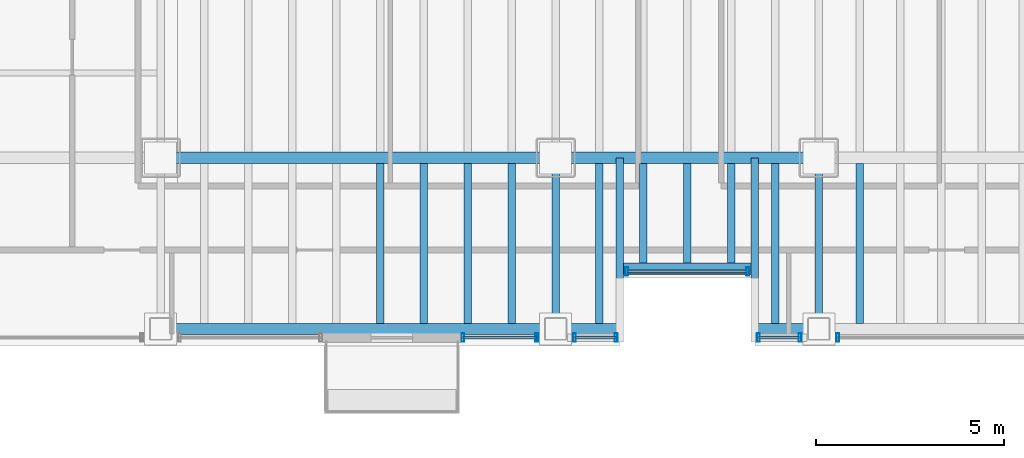
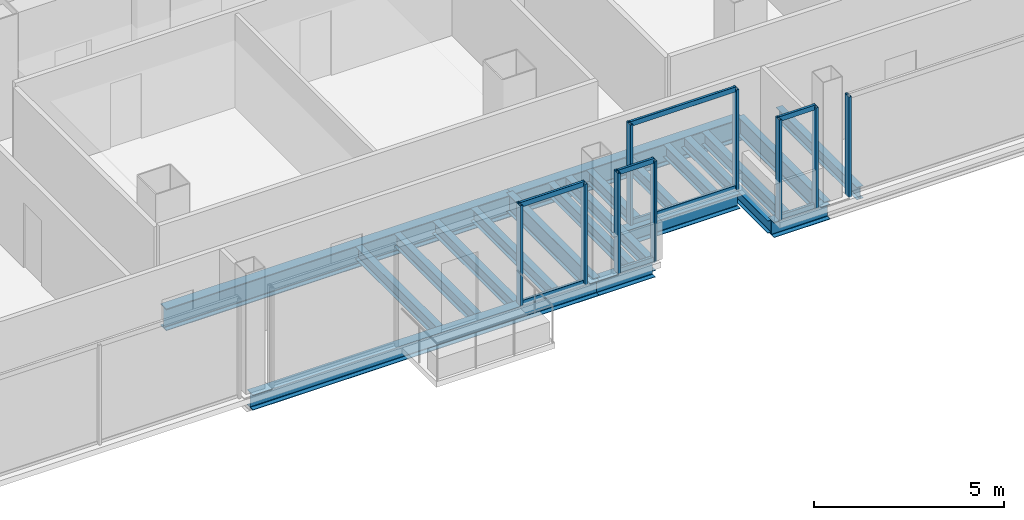
# One storey, part 4 of 21: 20 beams, 17 members, 5 elements without a shape of their own.
"""IFC4 building model written with IfcOpenShell, lengths in metres."""

import ifcopenshell
import ifcopenshell.guid

model = None  # the IFC model being written
_history = None  # IfcOwnerHistory: only IFC2X3 demands one
_inside = {}  # id of a spatial element -> (the spatial element, [elements in it])
_under = {}  # id of a project, library or spatial element -> (it, [spatial elements below it])
_declared = {}  # id of a project -> (the project, [libraries it declares])
_typed = {}  # id of a type object -> (the type object, [elements of that type])
_made_of = {}  # id of a material, layer set ... -> (it, [elements and type objects made of it])


def new_model(schema):
    """Start an empty IFC model of exactly this schema.

    Asked for "IFC4X3", IfcOpenShell would pick the latest addendum, in which some entities
    have other attributes; the version numbers below select the first issue.
    IFC2X3 requires an IfcOwnerHistory on every rooted entity: one is made here for all.
    """
    global model, _history
    if schema == "IFC4X3":
        model = ifcopenshell.file(schema_version=(4, 3, 0, 0))
    else:
        model = ifcopenshell.file(schema=schema)
    _inside.clear()
    _under.clear()
    _declared.clear()
    _typed.clear()
    _made_of.clear()
    _history = None
    if model.schema == "IFC2X3":
        org = make("IfcOrganization", Name="unknown")
        user = make(
            "IfcPersonAndOrganization",
            ThePerson=make("IfcPerson", FamilyName="unknown"),
            TheOrganization=org,
        )
        app = make(
            "IfcApplication",
            ApplicationDeveloper=org,
            Version="unknown",
            ApplicationFullName="unknown",
            ApplicationIdentifier="unknown",
        )
        _history = make(
            "IfcOwnerHistory",
            OwningUser=user,
            OwningApplication=app,
            ChangeAction="ADDED",
            CreationDate=0,
        )
    return model


def make(cls, **values):
    """One entity of the class cls with the attributes given. An attribute that is None is left unset."""
    return model.create_entity(
        cls, **{name: value for name, value in values.items() if value is not None}
    )


def rooted(cls, **values):
    """An entity with a GlobalId (a new one), such as an element, a storey or a relation."""
    return make(cls, GlobalId=ifcopenshell.guid.new(), OwnerHistory=_history, **values)


def si_unit(unit_type, name, prefix=None):
    """IfcSIUnit, for example si_unit("LENGTHUNIT", "METRE", prefix="MILLI")."""
    return make("IfcSIUnit", UnitType=unit_type, Prefix=prefix, Name=name)


def assignment(units):
    """IfcUnitAssignment: the units of a project."""
    return None if units is None else make("IfcUnitAssignment", Units=units)


def point(xyz):
    """IfcCartesianPoint."""
    return None if xyz is None else make("IfcCartesianPoint", Coordinates=xyz)


def direction(xyz):
    """IfcDirection."""
    return None if xyz is None else make("IfcDirection", DirectionRatios=xyz)


def frame(location, z_axis=None, x_axis=None):
    """IfcAxis2Placement3D, a coordinate frame: its origin and axes. An axis left out is left unset."""
    return make(
        "IfcAxis2Placement3D",
        Location=point(location),
        Axis=direction(z_axis),
        RefDirection=direction(x_axis),
    )


def frame_2d(location, x_axis=None):
    """IfcAxis2Placement2D, a coordinate frame in the plane: its origin and x axis."""
    return make(
        "IfcAxis2Placement2D", Location=point(location), RefDirection=direction(x_axis)
    )


def origin():
    """The frame at (0, 0, 0) with its axes left unset."""
    return frame((0.0, 0.0, 0.0))


def origin_2d():
    """The frame at (0, 0) in the plane with its x axis left unset."""
    return frame_2d((0.0, 0.0))


def place(relative_to, where):
    """IfcLocalPlacement: puts the frame where relative to a parent placement (None: the world)."""
    return make(
        "IfcLocalPlacement", PlacementRelTo=relative_to, RelativePlacement=where
    )


def context(
    kind, dimensions, precision=None, world=None, true_north=None, identifier=None
):
    """IfcGeometricRepresentationContext, for example the 3D "Model" context."""
    return make(
        "IfcGeometricRepresentationContext",
        ContextIdentifier=identifier,
        ContextType=kind,
        CoordinateSpaceDimension=dimensions,
        Precision=precision,
        WorldCoordinateSystem=world,
        TrueNorth=true_north,
    )


def subcontext(parent, identifier, kind, view, scale=None):
    """IfcGeometricRepresentationSubContext, for example "Body" below "Model"."""
    return make(
        "IfcGeometricRepresentationSubContext",
        ContextIdentifier=identifier,
        ContextType=kind,
        ParentContext=parent,
        TargetScale=scale,
        TargetView=view,
    )


def project(units=None, contexts=None):
    """IfcProject with its units and contexts."""
    return rooted(
        "IfcProject",
        Name="project",
        RepresentationContexts=contexts,
        UnitsInContext=assignment(units),
    )


def spatial(cls, under=None, at=None, **own):
    """A site, building, storey or space (cls), placed at a placement, below another one or the project."""
    s = rooted(cls, ObjectPlacement=at, **own)
    if under is not None:
        _under.setdefault(under.id(), (under, []))[1].append(s)
    return s


def profile(cls, at=None, kind="AREA", **sizes):
    """A parametric profile (cls). Its sizes go by their IFC names, for example OverallWidth=200.0."""
    return make(cls, ProfileType=kind, Position=at, **sizes)


def hollow_rectangle(**sizes):
    """IfcRectangleHollowProfileDef."""
    return profile("IfcRectangleHollowProfileDef", **sizes)


def i_section(**sizes):
    """IfcIShapeProfileDef."""
    return profile("IfcIShapeProfileDef", **sizes)


def extrude(swept, where, along, depth):
    """IfcExtrudedAreaSolid: the profile swept, set in the frame where, extruded along a direction by depth."""
    return make(
        "IfcExtrudedAreaSolid",
        SweptArea=swept,
        Position=where,
        ExtrudedDirection=direction(along),
        Depth=depth,
    )


def shape(context_of_items, identifier, shape_type, items):
    """IfcShapeRepresentation: the items that make up one representation, for example the "Body"."""
    return make(
        "IfcShapeRepresentation",
        ContextOfItems=context_of_items,
        RepresentationIdentifier=identifier,
        RepresentationType=shape_type,
        Items=items,
    )


def material(Name=None, Category=None):
    """IfcMaterial."""
    return make("IfcMaterial", Name=Name, Category=Category)


def material_profile(
    of_material, cross_section, Name=None, Category=None, Priority=None
):
    """IfcMaterialProfile: a cross section and its material."""
    return make(
        "IfcMaterialProfile",
        Name=Name,
        Material=of_material,
        Profile=cross_section,
        Priority=Priority,
        Category=Category,
    )


def profile_set(profiles, Name=None, composite=None):
    """IfcMaterialProfileSet."""
    return make(
        "IfcMaterialProfileSet",
        Name=Name,
        MaterialProfiles=profiles,
        CompositeProfile=composite,
    )


def made_of(thing, what):
    """Note that an element or type object is made of a material, layer set ...; save() writes the relation."""
    if what is not None:
        _made_of.setdefault(what.id(), (what, []))[1].append(thing)
    return thing


def type_object(cls, material=None, **own):
    """A type object (cls), such as IfcWallType, which elements share."""
    return made_of(rooted(cls, **own), material)


def element(
    cls,
    number,
    at=None,
    inside=None,
    cuts=None,
    type_object=None,
    material=None,
    context=None,
    identifier="Body",
    shape_type=None,
    held_by="IfcProductDefinitionShape",
    body=None,
    shapes=None,
    **own,
):
    """One element of the class cls, such as IfcWall. Its Tag is "e" and its number.

    at: its placement. inside: the storey or other place that contains it. cuts: it is an
    opening in that element (IfcRelVoidsElement). A single representation is given by context,
    identifier, shape_type and body (its items); several are given by shapes. held_by: the class
    of the entity that holds the representations. save() writes the other relations.
    """
    e = rooted(cls, Tag="e%d" % number, ObjectPlacement=at, **own)
    if body is not None:
        shapes = [shape(context, identifier, shape_type, body)]
    if shapes is not None:
        e.Representation = make(held_by, Representations=shapes)
    if inside is not None:
        _inside.setdefault(inside.id(), (inside, []))[1].append(e)
    if cuts is not None:
        rooted(
            "IfcRelVoidsElement", RelatingBuildingElement=cuts, RelatedOpeningElement=e
        )
    if type_object is not None:
        _typed.setdefault(type_object.id(), (type_object, []))[1].append(e)
    return made_of(e, material)


def aggregate(whole, parts):
    """IfcRelAggregates: a whole, such as a stair, and the parts it consists of."""
    return rooted("IfcRelAggregates", RelatingObject=whole, RelatedObjects=parts)


def save(model, path):
    """Write the relations noted so far, then the file.

    IfcRelAggregates (storeys below a building ...), IfcRelContainedInSpatialStructure (elements
    in a storey), IfcRelDefinesByType, IfcRelAssociatesMaterial and IfcRelDeclares: one each for
    every whole, place, type object, material and project.
    """
    for whole, parts in _under.values():
        aggregate(whole, parts)
    for where, things in _inside.values():
        rooted(
            "IfcRelContainedInSpatialStructure",
            RelatedElements=things,
            RelatingStructure=where,
        )
    for kind, things in _typed.values():
        rooted("IfcRelDefinesByType", RelatedObjects=things, RelatingType=kind)
    for what, things in _made_of.values():
        rooted("IfcRelAssociatesMaterial", RelatedObjects=things, RelatingMaterial=what)
    for by, libraries in _declared.values():
        rooted("IfcRelDeclares", RelatingContext=by, RelatedDefinitions=libraries)
    model.write(path)


model = new_model("IFC4")

# Units and contexts
model_context = context("Model", 3, precision=1e-05, world=origin(), true_north=direction((0.0, 1.0)))
body_context = subcontext(model_context, "Body", "Model", "MODEL_VIEW")
ifc_project = project(units=[si_unit("LENGTHUNIT", "METRE"), si_unit("AREAUNIT", "SQUARE_METRE"), si_unit("VOLUMEUNIT", "CUBIC_METRE"), si_unit("PLANEANGLEUNIT", "RADIAN"), si_unit("MASSUNIT", "GRAM", prefix="KILO")], contexts=[model_context])

# Site, building, storey
site_placement = place(None, origin())
site = spatial("IfcSite", under=ifc_project, at=site_placement, CompositionType="ELEMENT")
building_placement = place(site_placement, origin())
building = spatial("IfcBuilding", under=site, at=building_placement, Name="Noeulbin Bourse Tower", CompositionType="ELEMENT")
storey_placement = place(building_placement, frame((0.0, 0.0, 42.10009765625)))
storey = spatial("IfcBuildingStorey", under=building, at=storey_placement, Name="L10", CompositionType="ELEMENT", Elevation=42.10009765625)

# Beams
ifc_material_1 = material(Name="Steel S355", Category="steel")
ifc_material_profile_1 = material_profile(ifc_material_1, i_section(OverallWidth=0.199951171875, OverallDepth=0.60009765625, WebThickness=0.010986328125, FlangeThickness=0.01708984375, FilletRadius=0.02197265625, at=origin_2d()), Name="H-600x200x11x17", Category="LoadBearing")
ifc_profile_set_1 = profile_set([ifc_material_profile_1], Name="Steel S355")
beam_type_1 = type_object("IfcBeamType", Name="BM-GRD-600", PredefinedType="USERDEFINED", material=ifc_profile_set_1)
for number, where, z_axis, x_axis, name in (
    (1, (24.0, 15.449951171875, -0.47998046875), (0.0, 1.0, 0.0), (-1.0, 0.0, 0.0), "Tower Primary Girder NS L10-2.1"),
    (2, (31.0, 15.449951171875, -0.47998046875), (0.0, 1.0, 0.0), (-1.0, 0.0, 0.0), "Tower Primary Girder NS L10-3.1"),
):
    element("IfcBeam", number, at=place(storey_placement, frame(where, z_axis=z_axis, x_axis=x_axis)), inside=storey, type_object=beam_type_1, Name=name, ObjectType="GIRDER", PredefinedType="USERDEFINED", context=body_context, shape_type="SweptSolid", body=[
        extrude(i_section(OverallWidth=0.199951171875, OverallDepth=0.60009765625, WebThickness=0.010986328125, FlangeThickness=0.01708984375, FilletRadius=0.02197265625, at=origin_2d()), origin(), (0.0, 0.0, 1.0), 4.550048828125),
    ])
ifc_material_profile_2 = material_profile(ifc_material_1, i_section(OverallWidth=0.300048828125, OverallDepth=0.699951171875, WebThickness=0.012939453125, FlangeThickness=0.02392578125, FilletRadius=0.02392578125, at=origin_2d()), Name="H-700x300x13x24", Category="LoadBearing")
ifc_profile_set_2 = profile_set([ifc_material_profile_2], Name="Steel S355")
beam_type_2 = type_object("IfcBeamType", Name="BM-GRD-700", PredefinedType="USERDEFINED", material=ifc_profile_set_2)
beam_1_placement = place(storey_placement, frame((13.5, 20.0, -0.530029296875), z_axis=(1.0, 0.0, 0.0), x_axis=(0.0, 1.0, 0.0)))
element("IfcBeam", 3, at=beam_1_placement, inside=storey, type_object=beam_type_2, Name="Tower Primary Girder EW L10-1.2", ObjectType="GIRDER", PredefinedType="USERDEFINED", context=body_context, shape_type="SweptSolid", body=[
    extrude(i_section(OverallWidth=0.300048828125, OverallDepth=0.699951171875, WebThickness=0.012939453125, FlangeThickness=0.02392578125, FilletRadius=0.02392578125, at=origin_2d()), origin(), (0.0, 0.0, 1.0), 10.5),
])
beam_2_placement = place(storey_placement, frame((24.0, 20.0, -0.530029296875), z_axis=(1.0, 0.0, 0.0), x_axis=(0.0, 1.0, 0.0)))
element("IfcBeam", 4, at=beam_2_placement, inside=storey, type_object=beam_type_2, Name="Tower Primary Girder EW L10-1.3", ObjectType="GIRDER", PredefinedType="USERDEFINED", context=body_context, shape_type="SweptSolid", body=[
    extrude(i_section(OverallWidth=0.300048828125, OverallDepth=0.699951171875, WebThickness=0.012939453125, FlangeThickness=0.02392578125, FilletRadius=0.02392578125, at=origin_2d()), origin(), (0.0, 0.0, 1.0), 7.0),
])
ifc_material_profile_3 = material_profile(ifc_material_1, i_section(OverallWidth=0.199951171875, OverallDepth=0.39990234375, WebThickness=0.008056640625, FlangeThickness=0.012939453125, FilletRadius=0.01611328125, at=origin_2d()), Name="H-400x200x8x13", Category="LoadBearing")
ifc_profile_set_3 = profile_set([ifc_material_profile_3], Name="Steel S355")
beam_type_3 = type_object("IfcBeamType", Name="BM-SEC-400", PredefinedType="BEAM", material=ifc_profile_set_3)
for number, where, z_axis, x_axis, name in (
    (5, (25.699951171875, 15.449951171875, -0.380126953125), (0.0, 1.0, 0.0), (-1.0, 0.0, 0.0), "BM-L10-SRT-W"),
    (6, (29.300048828125, 15.449951171875, -0.380126953125), (0.0, 1.0, 0.0), (-1.0, 0.0, 0.0), "BM-L10-SRT-E"),
):
    element("IfcBeam", number, at=place(storey_placement, frame(where, z_axis=z_axis, x_axis=x_axis)), inside=storey, type_object=beam_type_3, Name=name, PredefinedType="BEAM", context=body_context, shape_type="SweptSolid", body=[
        extrude(i_section(OverallWidth=0.199951171875, OverallDepth=0.39990234375, WebThickness=0.008056640625, FlangeThickness=0.012939453125, FilletRadius=0.01611328125, at=origin_2d()), origin(), (0.0, 0.0, 1.0), 4.550048828125),
    ])
for number, where, z_axis, x_axis, name in (
    (7, (19.333251953125, 15.60009765625, -0.380126953125), (0.0, 1.0, 0.0), (-1.0, 0.0, 0.0), "Tower Composite Joist L10-13"),
    (8, (20.5, 15.60009765625, -0.380126953125), (0.0, 1.0, 0.0), (-1.0, 0.0, 0.0), "Tower Composite Joist L10-16"),
    (9, (21.666748046875, 15.60009765625, -0.380126953125), (0.0, 1.0, 0.0), (-1.0, 0.0, 0.0), "Tower Composite Joist L10-19"),
    (10, (22.833251953125, 15.60009765625, -0.380126953125), (0.0, 1.0, 0.0), (-1.0, 0.0, 0.0), "Tower Composite Joist L10-22"),
    (11, (25.166748046875, 15.60009765625, -0.380126953125), (0.0, 1.0, 0.0), (-1.0, 0.0, 0.0), "Tower Composite Joist L10-25"),
):
    element("IfcBeam", number, at=place(storey_placement, frame(where, z_axis=z_axis, x_axis=x_axis)), inside=storey, type_object=beam_type_3, Name=name, PredefinedType="BEAM", context=body_context, shape_type="SweptSolid", body=[
        extrude(i_section(OverallWidth=0.199951171875, OverallDepth=0.39990234375, WebThickness=0.008056640625, FlangeThickness=0.012939453125, FilletRadius=0.01611328125, at=origin_2d()), origin(), (0.0, 0.0, 1.0), 4.25),
    ])
for number, where, z_axis, x_axis, name in (
    (12, (26.333251953125, 17.199951171875, -0.380126953125), (0.0, 1.0, 0.0), (-1.0, 0.0, 0.0), "Tower Composite Joist L10-28"),
    (13, (27.5, 17.199951171875, -0.380126953125), (0.0, 1.0, 0.0), (-1.0, 0.0, 0.0), "Tower Composite Joist L10-31"),
    (14, (28.666748046875, 17.199951171875, -0.380126953125), (0.0, 1.0, 0.0), (-1.0, 0.0, 0.0), "Tower Composite Joist L10-34"),
):
    element("IfcBeam", number, at=place(storey_placement, frame(where, z_axis=z_axis, x_axis=x_axis)), inside=storey, type_object=beam_type_3, Name=name, PredefinedType="BEAM", context=body_context, shape_type="SweptSolid", body=[
        extrude(i_section(OverallWidth=0.199951171875, OverallDepth=0.39990234375, WebThickness=0.008056640625, FlangeThickness=0.012939453125, FilletRadius=0.01611328125, at=origin_2d()), origin(), (0.0, 0.0, 1.0), 2.650146484375),
    ])
for number, where, z_axis, x_axis, name in (
    (15, (29.833251953125, 15.60009765625, -0.380126953125), (0.0, 1.0, 0.0), (-1.0, 0.0, 0.0), "Tower Composite Joist L10-37"),
    (16, (32.083251953125, 15.60009765625, -0.380126953125), (0.0, 1.0, 0.0), (-1.0, 0.0, 0.0), "Tower Composite Joist L10-40"),
):
    element("IfcBeam", number, at=place(storey_placement, frame(where, z_axis=z_axis, x_axis=x_axis)), inside=storey, type_object=beam_type_3, Name=name, PredefinedType="BEAM", context=body_context, shape_type="SweptSolid", body=[
        extrude(i_section(OverallWidth=0.199951171875, OverallDepth=0.39990234375, WebThickness=0.008056640625, FlangeThickness=0.012939453125, FilletRadius=0.01611328125, at=origin_2d()), origin(), (0.0, 0.0, 1.0), 4.25),
    ])
ifc_material_profile_4 = material_profile(ifc_material_1, i_section(OverallWidth=0.300048828125, OverallDepth=0.488037109375, WebThickness=0.010986328125, FlangeThickness=0.01806640625, FilletRadius=0.02197265625, at=origin_2d()), Name="H-488x300x11x18", Category="LoadBearing")
ifc_profile_set_4 = profile_set([ifc_material_profile_4], Name="Steel S355")
beam_type_4 = type_object("IfcBeamType", Name="BM-SPN-488", PredefinedType="SPANDREL", material=ifc_profile_set_4)
beam_3_placement = place(storey_placement, frame((13.5, 15.449951171875, -0.424072265625), z_axis=(1.0, 0.0, 0.0), x_axis=(0.0, 1.0, 0.0)))
element("IfcBeam", 17, at=beam_3_placement, inside=storey, type_object=beam_type_4, Name="South Spandrel L10-1", PredefinedType="SPANDREL", context=body_context, shape_type="SweptSolid", body=[
    extrude(i_section(OverallWidth=0.300048828125, OverallDepth=0.488037109375, WebThickness=0.010986328125, FlangeThickness=0.01806640625, FilletRadius=0.02197265625, at=origin_2d()), origin(), (0.0, 0.0, 1.0), 10.5),
])
beam_4_placement = place(storey_placement, frame((25.800048828125, 17.050048828125, -0.424072265625), z_axis=(1.0, 0.0, 0.0), x_axis=(0.0, 1.0, 0.0)))
element("IfcBeam", 18, at=beam_4_placement, inside=storey, type_object=beam_type_4, Name="South Recess Spandrel L10-2B", PredefinedType="SPANDREL", context=body_context, shape_type="SweptSolid", body=[
    extrude(i_section(OverallWidth=0.300048828125, OverallDepth=0.488037109375, WebThickness=0.010986328125, FlangeThickness=0.01806640625, FilletRadius=0.02197265625, at=origin_2d()), origin(), (0.0, 0.0, 1.0), 3.39990234375),
])
for number, where, z_axis, x_axis, name in (
    (19, (24.0, 15.449951171875, -0.424072265625), (1.0, 0.0, 0.0), (0.0, 1.0, 0.0), "South Spandrel L10-2A"),
    (20, (29.300048828125, 15.449951171875, -0.424072265625), (1.0, 0.0, 0.0), (0.0, 1.0, 0.0), "South Spandrel L10-2C"),
):
    element("IfcBeam", number, at=place(storey_placement, frame(where, z_axis=z_axis, x_axis=x_axis)), inside=storey, type_object=beam_type_4, Name=name, PredefinedType="SPANDREL", context=body_context, shape_type="SweptSolid", body=[
        extrude(i_section(OverallWidth=0.300048828125, OverallDepth=0.488037109375, WebThickness=0.010986328125, FlangeThickness=0.01806640625, FilletRadius=0.02197265625, at=origin_2d()), origin(), (0.0, 0.0, 1.0), 1.699951171875),
    ])

# Curtain wall, members
ifc_material_2 = material(Name="Dark Solar-Control Double Glazing", Category="glass")
curtain_wall_type = type_object("IfcCurtainWallType", Name="CW-SYS-2", PredefinedType="NOTDEFINED", material=ifc_material_2)
curtain_wall_1_placement = place(storey_placement, origin())
curtain_wall_1 = element("IfcCurtainWall", 21, at=curtain_wall_1_placement, inside=storey, type_object=curtain_wall_type, Name="Unitised Curtain Wall CW-L10-SREC", PredefinedType="NOTDEFINED")
ifc_material_3 = material(Name="Anodised Aluminium 6063-T6", Category="aluminium")
ifc_material_profile_5 = material_profile(ifc_material_3, hollow_rectangle(XDim=0.074951171875, YDim=0.219970703125, WallThickness=0.0048828125, InnerFilletRadius=0.00244140625, OuterFilletRadius=0.0048828125, at=origin_2d()), Name="ALU-MULL-75x220x5", Category="LoadBearing")
ifc_profile_set_5 = profile_set([ifc_material_profile_5], Name="Anodised Aluminium 6063-T6")
member_type_1 = type_object("IfcMemberType", Name="CW-SYS-2-MUL", PredefinedType="MULLION", material=ifc_profile_set_5)
member_1_placement = place(storey_placement, frame((25.889892578125, 16.97998046875, -0.02001953125), z_axis=(0.0, 0.0, 1.0), x_axis=(1.0, 0.0, 0.0)))
member_1 = element("IfcMember", 22, at=member_1_placement, type_object=member_type_1, Name="Curtain Wall Mullion CW-L10-SREC-M00", PredefinedType="MULLION", context=body_context, shape_type="SweptSolid", body=[
    extrude(hollow_rectangle(XDim=0.074951171875, YDim=0.219970703125, WallThickness=0.0048828125, InnerFilletRadius=0.00244140625, OuterFilletRadius=0.0048828125, at=origin_2d()), origin(), (0.0, 0.0, 1.0), 3.219970703125),
])
member_2_placement = place(storey_placement, frame((29.110107421875, 16.97998046875, -0.02001953125), z_axis=(0.0, 0.0, 1.0), x_axis=(1.0, 0.0, 0.0)))
member_2 = element("IfcMember", 23, at=member_2_placement, type_object=member_type_1, Name="Curtain Wall Mullion CW-L10-SREC-M01", PredefinedType="MULLION", context=body_context, shape_type="SweptSolid", body=[
    extrude(hollow_rectangle(XDim=0.074951171875, YDim=0.219970703125, WallThickness=0.0048828125, InnerFilletRadius=0.00244140625, OuterFilletRadius=0.0048828125, at=origin_2d()), origin(), (0.0, 0.0, 1.0), 3.219970703125),
])

curtain_wall_2_placement = place(storey_placement, origin())
curtain_wall_2 = element("IfcCurtainWall", 24, at=curtain_wall_2_placement, inside=storey, type_object=curtain_wall_type, Name="Unitised Curtain Wall CW-L10-S2-S1", PredefinedType="NOTDEFINED")
member_3_placement = place(storey_placement, frame((21.5400390625, 15.219970703125, -0.02001953125), z_axis=(0.0, 0.0, 1.0), x_axis=(1.0, 0.0, 0.0)))
member_3 = element("IfcMember", 25, at=member_3_placement, type_object=member_type_1, Name="Curtain Wall Mullion CW-L10-S2-S1-M00", PredefinedType="MULLION", context=body_context, shape_type="SweptSolid", body=[
    extrude(hollow_rectangle(XDim=0.074951171875, YDim=0.219970703125, WallThickness=0.0048828125, InnerFilletRadius=0.00244140625, OuterFilletRadius=0.0048828125, at=origin_2d()), origin(), (0.0, 0.0, 1.0), 3.219970703125),
])
member_4_placement = place(storey_placement, frame((23.5, 15.219970703125, -0.02001953125), z_axis=(0.0, 0.0, 1.0), x_axis=(1.0, 0.0, 0.0)))
member_4 = element("IfcMember", 26, at=member_4_placement, type_object=member_type_1, Name="Curtain Wall Mullion CW-L10-S2-S1-M01", PredefinedType="MULLION", context=body_context, shape_type="SweptSolid", body=[
    extrude(hollow_rectangle(XDim=0.074951171875, YDim=0.219970703125, WallThickness=0.0048828125, InnerFilletRadius=0.00244140625, OuterFilletRadius=0.0048828125, at=origin_2d()), origin(), (0.0, 0.0, 1.0), 3.219970703125),
])

curtain_wall_3_placement = place(storey_placement, origin())
curtain_wall_3 = element("IfcCurtainWall", 27, at=curtain_wall_3_placement, inside=storey, type_object=curtain_wall_type, Name="Unitised Curtain Wall CW-L10-S2-S2", PredefinedType="NOTDEFINED")
member_5_placement = place(storey_placement, frame((24.5, 15.219970703125, -0.02001953125), z_axis=(0.0, 0.0, 1.0), x_axis=(1.0, 0.0, 0.0)))
member_5 = element("IfcMember", 28, at=member_5_placement, type_object=member_type_1, Name="Curtain Wall Mullion CW-L10-S2-S2-M00", PredefinedType="MULLION", context=body_context, shape_type="SweptSolid", body=[
    extrude(hollow_rectangle(XDim=0.074951171875, YDim=0.219970703125, WallThickness=0.0048828125, InnerFilletRadius=0.00244140625, OuterFilletRadius=0.0048828125, at=origin_2d()), origin(), (0.0, 0.0, 1.0), 3.219970703125),
])
member_6_placement = place(storey_placement, frame((25.610107421875, 15.219970703125, -0.02001953125), z_axis=(0.0, 0.0, 1.0), x_axis=(1.0, 0.0, 0.0)))
member_6 = element("IfcMember", 29, at=member_6_placement, type_object=member_type_1, Name="Curtain Wall Mullion CW-L10-S2-S2-M01", PredefinedType="MULLION", context=body_context, shape_type="SweptSolid", body=[
    extrude(hollow_rectangle(XDim=0.074951171875, YDim=0.219970703125, WallThickness=0.0048828125, InnerFilletRadius=0.00244140625, OuterFilletRadius=0.0048828125, at=origin_2d()), origin(), (0.0, 0.0, 1.0), 3.219970703125),
])

curtain_wall_4_placement = place(storey_placement, origin())
curtain_wall_4 = element("IfcCurtainWall", 30, at=curtain_wall_4_placement, inside=storey, type_object=curtain_wall_type, Name="Unitised Curtain Wall CW-L10-S3-S1", PredefinedType="NOTDEFINED")
member_7_placement = place(storey_placement, frame((29.389892578125, 15.219970703125, -0.02001953125), z_axis=(0.0, 0.0, 1.0), x_axis=(1.0, 0.0, 0.0)))
member_7 = element("IfcMember", 31, at=member_7_placement, type_object=member_type_1, Name="Curtain Wall Mullion CW-L10-S3-S1-M00", PredefinedType="MULLION", context=body_context, shape_type="SweptSolid", body=[
    extrude(hollow_rectangle(XDim=0.074951171875, YDim=0.219970703125, WallThickness=0.0048828125, InnerFilletRadius=0.00244140625, OuterFilletRadius=0.0048828125, at=origin_2d()), origin(), (0.0, 0.0, 1.0), 3.219970703125),
])
member_8_placement = place(storey_placement, frame((30.5, 15.219970703125, -0.02001953125), z_axis=(0.0, 0.0, 1.0), x_axis=(1.0, 0.0, 0.0)))
member_8 = element("IfcMember", 32, at=member_8_placement, type_object=member_type_1, Name="Curtain Wall Mullion CW-L10-S3-S1-M01", PredefinedType="MULLION", context=body_context, shape_type="SweptSolid", body=[
    extrude(hollow_rectangle(XDim=0.074951171875, YDim=0.219970703125, WallThickness=0.0048828125, InnerFilletRadius=0.00244140625, OuterFilletRadius=0.0048828125, at=origin_2d()), origin(), (0.0, 0.0, 1.0), 3.219970703125),
])

# Curtain wall, member
curtain_wall_5_placement = place(storey_placement, origin())
curtain_wall_5 = element("IfcCurtainWall", 33, at=curtain_wall_5_placement, inside=storey, type_object=curtain_wall_type, Name="Unitised Curtain Wall CW-L10-S3-S2", PredefinedType="NOTDEFINED")
member_9_placement = place(storey_placement, frame((31.5, 15.219970703125, -0.02001953125), z_axis=(0.0, 0.0, 1.0), x_axis=(1.0, 0.0, 0.0)))
member_9 = element("IfcMember", 34, at=member_9_placement, type_object=member_type_1, Name="Curtain Wall Mullion CW-L10-S3-S2-M00", PredefinedType="MULLION", context=body_context, shape_type="SweptSolid", body=[
    extrude(hollow_rectangle(XDim=0.074951171875, YDim=0.219970703125, WallThickness=0.0048828125, InnerFilletRadius=0.00244140625, OuterFilletRadius=0.0048828125, at=origin_2d()), origin(), (0.0, 0.0, 1.0), 3.219970703125),
])
aggregate(curtain_wall_5, [member_9])

# Member
ifc_material_profile_6 = material_profile(ifc_material_3, hollow_rectangle(XDim=0.074951171875, YDim=0.159912109375, WallThickness=0.0048828125, InnerFilletRadius=0.00244140625, OuterFilletRadius=0.0048828125, at=origin_2d()), Name="ALU-TRAN-75x160x5", Category="LoadBearing")
ifc_profile_set_6 = profile_set([ifc_material_profile_6], Name="Anodised Aluminium 6063-T6")
member_type_2 = type_object("IfcMemberType", Name="CW-SYS-2-TRN", PredefinedType="USERDEFINED", material=ifc_profile_set_6)
member_10_placement = place(storey_placement, frame((25.89990234375, 16.97998046875, 0.010009765625), z_axis=(1.0, 0.0, 0.0), x_axis=(0.0, 1.0, 0.0)))
member_10 = element("IfcMember", 35, at=member_10_placement, type_object=member_type_2, Name="Curtain Wall Transom CW-L10-SREC-T00", ObjectType="TRANSOM", PredefinedType="USERDEFINED", context=body_context, shape_type="SweptSolid", body=[
    extrude(hollow_rectangle(XDim=0.074951171875, YDim=0.159912109375, WallThickness=0.0048828125, InnerFilletRadius=0.00244140625, OuterFilletRadius=0.0048828125, at=origin_2d()), origin(), (0.0, 0.0, 1.0), 3.2001953125),
])

member_11_placement = place(storey_placement, frame((25.89990234375, 16.97998046875, 3.169921875), z_axis=(1.0, 0.0, 0.0), x_axis=(0.0, 1.0, 0.0)))
member_11 = element("IfcMember", 36, at=member_11_placement, type_object=member_type_2, Name="Curtain Wall Transom CW-L10-SREC-T01", ObjectType="TRANSOM", PredefinedType="USERDEFINED", context=body_context, shape_type="SweptSolid", body=[
    extrude(hollow_rectangle(XDim=0.074951171875, YDim=0.159912109375, WallThickness=0.0048828125, InnerFilletRadius=0.00244140625, OuterFilletRadius=0.0048828125, at=origin_2d()), origin(), (0.0, 0.0, 1.0), 3.2001953125),
])

aggregate(curtain_wall_1, [member_1, member_2, member_10, member_11])

member_12_placement = place(storey_placement, frame((21.550048828125, 15.219970703125, 0.010009765625), z_axis=(1.0, 0.0, 0.0), x_axis=(0.0, 1.0, 0.0)))
member_12 = element("IfcMember", 37, at=member_12_placement, type_object=member_type_2, Name="Curtain Wall Transom CW-L10-S2-S1-T00", ObjectType="TRANSOM", PredefinedType="USERDEFINED", context=body_context, shape_type="SweptSolid", body=[
    extrude(hollow_rectangle(XDim=0.074951171875, YDim=0.159912109375, WallThickness=0.0048828125, InnerFilletRadius=0.00244140625, OuterFilletRadius=0.0048828125, at=origin_2d()), origin(), (0.0, 0.0, 1.0), 1.93994140625),
])

member_13_placement = place(storey_placement, frame((21.550048828125, 15.219970703125, 3.169921875), z_axis=(1.0, 0.0, 0.0), x_axis=(0.0, 1.0, 0.0)))
member_13 = element("IfcMember", 38, at=member_13_placement, type_object=member_type_2, Name="Curtain Wall Transom CW-L10-S2-S1-T01", ObjectType="TRANSOM", PredefinedType="USERDEFINED", context=body_context, shape_type="SweptSolid", body=[
    extrude(hollow_rectangle(XDim=0.074951171875, YDim=0.159912109375, WallThickness=0.0048828125, InnerFilletRadius=0.00244140625, OuterFilletRadius=0.0048828125, at=origin_2d()), origin(), (0.0, 0.0, 1.0), 1.93994140625),
])

aggregate(curtain_wall_2, [member_3, member_4, member_12, member_13])

member_14_placement = place(storey_placement, frame((24.510009765625, 15.219970703125, 0.010009765625), z_axis=(1.0, 0.0, 0.0), x_axis=(0.0, 1.0, 0.0)))
member_14 = element("IfcMember", 39, at=member_14_placement, type_object=member_type_2, Name="Curtain Wall Transom CW-L10-S2-S2-T00", ObjectType="TRANSOM", PredefinedType="USERDEFINED", context=body_context, shape_type="SweptSolid", body=[
    extrude(hollow_rectangle(XDim=0.074951171875, YDim=0.159912109375, WallThickness=0.0048828125, InnerFilletRadius=0.00244140625, OuterFilletRadius=0.0048828125, at=origin_2d()), origin(), (0.0, 0.0, 1.0), 1.090087890625),
])

member_15_placement = place(storey_placement, frame((24.510009765625, 15.219970703125, 3.169921875), z_axis=(1.0, 0.0, 0.0), x_axis=(0.0, 1.0, 0.0)))
member_15 = element("IfcMember", 40, at=member_15_placement, type_object=member_type_2, Name="Curtain Wall Transom CW-L10-S2-S2-T01", ObjectType="TRANSOM", PredefinedType="USERDEFINED", context=body_context, shape_type="SweptSolid", body=[
    extrude(hollow_rectangle(XDim=0.074951171875, YDim=0.159912109375, WallThickness=0.0048828125, InnerFilletRadius=0.00244140625, OuterFilletRadius=0.0048828125, at=origin_2d()), origin(), (0.0, 0.0, 1.0), 1.090087890625),
])

aggregate(curtain_wall_3, [member_5, member_6, member_14, member_15])

member_16_placement = place(storey_placement, frame((29.39990234375, 15.219970703125, 0.010009765625), z_axis=(1.0, 0.0, 0.0), x_axis=(0.0, 1.0, 0.0)))
member_16 = element("IfcMember", 41, at=member_16_placement, type_object=member_type_2, Name="Curtain Wall Transom CW-L10-S3-S1-T00", ObjectType="TRANSOM", PredefinedType="USERDEFINED", context=body_context, shape_type="SweptSolid", body=[
    extrude(hollow_rectangle(XDim=0.074951171875, YDim=0.159912109375, WallThickness=0.0048828125, InnerFilletRadius=0.00244140625, OuterFilletRadius=0.0048828125, at=origin_2d()), origin(), (0.0, 0.0, 1.0), 1.090087890625),
])

member_17_placement = place(storey_placement, frame((29.39990234375, 15.219970703125, 3.169921875), z_axis=(1.0, 0.0, 0.0), x_axis=(0.0, 1.0, 0.0)))
member_17 = element("IfcMember", 42, at=member_17_placement, type_object=member_type_2, Name="Curtain Wall Transom CW-L10-S3-S1-T01", ObjectType="TRANSOM", PredefinedType="USERDEFINED", context=body_context, shape_type="SweptSolid", body=[
    extrude(hollow_rectangle(XDim=0.074951171875, YDim=0.159912109375, WallThickness=0.0048828125, InnerFilletRadius=0.00244140625, OuterFilletRadius=0.0048828125, at=origin_2d()), origin(), (0.0, 0.0, 1.0), 1.090087890625),
])

aggregate(curtain_wall_4, [member_7, member_8, member_16, member_17])

save(model, "model.ifc")
